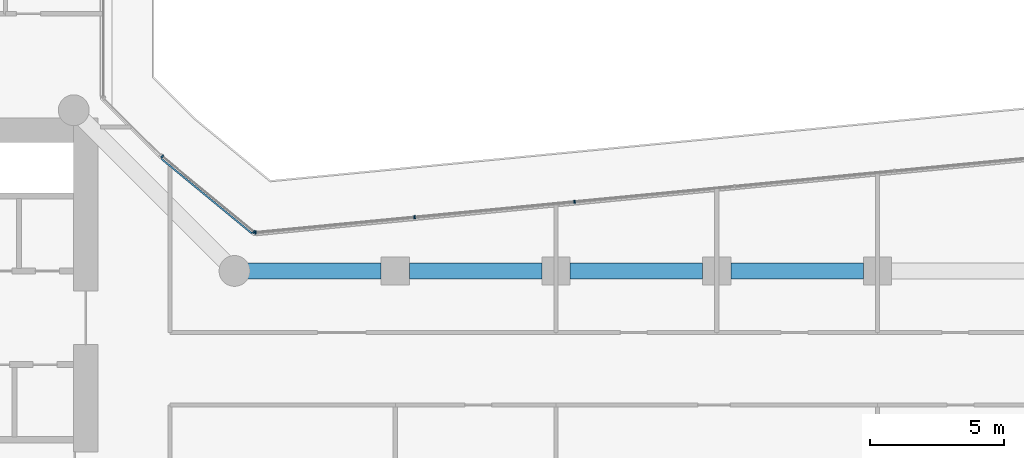
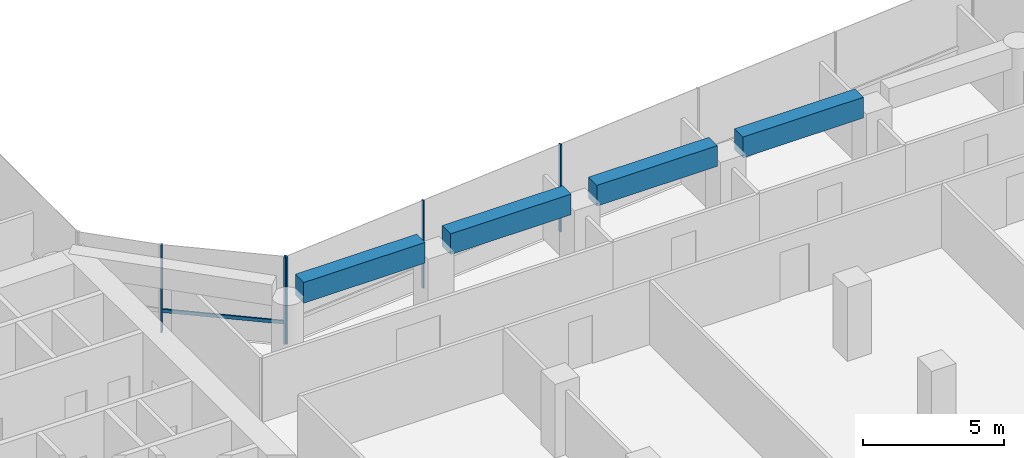
# One storey, part 9 of 30: 6 members, 4 beams, 2 elements without a shape of their own.
"""IFC4 building model written with IfcOpenShell, lengths in metres."""

from ifc_helpers import new_model, si_unit, direction, frame, origin, origin_2d, place, context, subcontext, project, spatial, rectangle, extrude, material, layer, layer_set, material_profile, profile_set, type_object, element, aggregate, save


model = new_model("IFC4")

# Units and contexts
model_context = context("Model", 3, precision=1e-05, world=origin(), true_north=direction((0.0, 1.0)))
body_context = subcontext(model_context, "Body", "Model", "MODEL_VIEW")
ifc_project = project(units=[si_unit("LENGTHUNIT", "METRE"), si_unit("AREAUNIT", "SQUARE_METRE"), si_unit("VOLUMEUNIT", "CUBIC_METRE"), si_unit("PLANEANGLEUNIT", "RADIAN"), si_unit("MASSUNIT", "GRAM", prefix="KILO")], contexts=[model_context])

# Site, building, storey
site_placement = place(None, origin())
site = spatial("IfcSite", under=ifc_project, at=site_placement, CompositionType="ELEMENT")
building_placement = place(site_placement, origin())
building = spatial("IfcBuilding", under=site, at=building_placement, Name="Welwitschia Terrace Campus", CompositionType="ELEMENT")
storey_placement = place(building_placement, frame((0.0, 0.0, 75.199951171875)))
storey = spatial("IfcBuildingStorey", under=building, at=storey_placement, Name="L17", CompositionType="ELEMENT", Elevation=75.199951171875)

# Curtain wall, members
ifc_material_1 = material(Name="Bronze anodised aluminium", Category="aluminium")
ifc_layer = layer(ifc_material_1, 0.1201171875)
ifc_layer_set = layer_set([ifc_layer], Name="Bronze anodised aluminium")
curtain_wall_type = type_object("IfcCurtainWallType", Name="Curtain wall CW2 tower 6000", PredefinedType="NOTDEFINED", material=ifc_layer_set)
curtain_wall_1_placement = place(storey_placement, origin())
curtain_wall_1 = element("IfcCurtainWall", 1, at=curtain_wall_1_placement, inside=storey, type_object=curtain_wall_type, Name="CW L17.9.0", PredefinedType="NOTDEFINED")
ifc_material_2 = material(Name="Bronze anodised aluminium", Category="aluminium")
ifc_material_profile_1 = material_profile(ifc_material_2, rectangle(XDim=0.1201171875, YDim=0.06005859375, at=origin_2d()))
ifc_profile_set_1 = profile_set([ifc_material_profile_1], Name="Bronze anodised aluminium")
member_type_1 = type_object("IfcMemberType", Name="Mullion 60x120", PredefinedType="MULLION", material=ifc_profile_set_1)
member_1_placement = place(storey_placement, frame((42.6953125, 22.584716796875, 0.0), z_axis=(0.0, 0.0, 1.0), x_axis=(0.09584575252, -0.995396198367, 0.0)))
member_1 = element("IfcMember", 2, at=member_1_placement, type_object=member_type_1, Name="Mullion L17.9.0.3", PredefinedType="MULLION", context=body_context, shape_type="SweptSolid", body=[
    extrude(rectangle(XDim=0.1201171875, YDim=0.06005859375, at=origin_2d()), origin(), (0.0, 0.0, 1.0), 3.800048828125),
])
member_2_placement = place(storey_placement, frame((36.72314453125, 22.009765625, 0.0), z_axis=(0.0, 0.0, 1.0), x_axis=(0.09584575252, -0.995396198367, 0.0)))
member_2 = element("IfcMember", 3, at=member_2_placement, type_object=member_type_1, Name="Mullion L17.9.0.4", PredefinedType="MULLION", context=body_context, shape_type="SweptSolid", body=[
    extrude(rectangle(XDim=0.1201171875, YDim=0.06005859375, at=origin_2d()), origin(), (0.0, 0.0, 1.0), 3.800048828125),
])
member_3_placement = place(storey_placement, frame((30.780517578125, 21.4375, 0.0), z_axis=(0.0, 0.0, 1.0), x_axis=(0.09584575252, -0.995396198367, 0.0)))
member_3 = element("IfcMember", 4, at=member_3_placement, type_object=member_type_1, Name="Mullion L17.9.0.5", PredefinedType="MULLION", context=body_context, shape_type="SweptSolid", body=[
    extrude(rectangle(XDim=0.1201171875, YDim=0.06005859375, at=origin_2d()), origin(), (0.0, 0.0, 1.0), 3.800048828125),
])
aggregate(curtain_wall_1, [member_1, member_2, member_3])

curtain_wall_2_placement = place(storey_placement, origin())
curtain_wall_2 = element("IfcCurtainWall", 5, at=curtain_wall_2_placement, inside=storey, type_object=curtain_wall_type, Name="CW L17.10.0", PredefinedType="NOTDEFINED")
member_4_placement = place(storey_placement, frame((30.7275390625, 21.45361328125, 0.0), z_axis=(0.0, 0.0, 1.0), x_axis=(-0.636078220278, -0.771624583388, 0.0)))
member_4 = element("IfcMember", 6, at=member_4_placement, type_object=member_type_1, Name="Mullion L17.10.0.0", PredefinedType="MULLION", context=body_context, shape_type="SweptSolid", body=[
    extrude(rectangle(XDim=0.1201171875, YDim=0.06005859375, at=origin_2d()), origin(), (0.0, 0.0, 1.0), 3.800048828125),
])
member_5_placement = place(storey_placement, frame((27.302001953125, 24.27734375, 0.0), z_axis=(0.0, 0.0, 1.0), x_axis=(-0.636078220278, -0.771624583388, 0.0)))
member_5 = element("IfcMember", 7, at=member_5_placement, type_object=member_type_1, Name="Mullion L17.10.0.1", PredefinedType="MULLION", context=body_context, shape_type="SweptSolid", body=[
    extrude(rectangle(XDim=0.1201171875, YDim=0.06005859375, at=origin_2d()), origin(), (0.0, 0.0, 1.0), 3.800048828125),
])

# Beams
ifc_material_3 = material(Name="Concrete C60/75", Category="concrete")
ifc_material_profile_2 = material_profile(ifc_material_3, rectangle(XDim=0.60009765625, YDim=0.89990234375, at=origin_2d()))
ifc_profile_set_2 = profile_set([ifc_material_profile_2], Name="Concrete C60/75")
beam_type = type_object("IfcBeamType", Name="Ring spandrel 600x900", PredefinedType="SPANDREL", material=ifc_profile_set_2)
for number, where, z_axis, x_axis, name in (
    (8, (53.474609375, 20.0, 3.35009765625), (-1.0, 0.0, 0.0), (0.0, -1.0, 0.0), "Spandrel SP2"),
    (9, (47.474609375, 20.0, 3.35009765625), (-1.0, 0.0, 0.0), (0.0, -1.0, 0.0), "Spandrel SP2"),
    (10, (41.474609375, 20.0, 3.35009765625), (-1.0, 0.0, 0.0), (0.0, -1.0, 0.0), "Spandrel SP2"),
):
    element("IfcBeam", number, at=place(storey_placement, frame(where, z_axis=z_axis, x_axis=x_axis)), inside=storey, type_object=beam_type, Name=name, PredefinedType="SPANDREL", context=body_context, shape_type="SweptSolid", body=[
        extrude(rectangle(XDim=0.60009765625, YDim=0.89990234375, at=origin_2d()), origin(), (0.0, 0.0, 1.0), 4.94921875),
    ])
beam_placement = place(storey_placement, frame((35.474609375, 20.0, 3.35009765625), z_axis=(-1.0, 0.0, 0.0), x_axis=(0.0, -1.0, 0.0)))
element("IfcBeam", 11, at=beam_placement, inside=storey, type_object=beam_type, Name="Spandrel SP2", PredefinedType="SPANDREL", context=body_context, shape_type="SweptSolid", body=[
    extrude(rectangle(XDim=0.60009765625, YDim=0.89990234375, at=origin_2d()), origin(), (0.0, 0.0, 1.0), 4.983154296875),
])

# Member
ifc_material_4 = material(Name="Bronze anodised aluminium", Category="aluminium")
ifc_material_profile_3 = material_profile(ifc_material_4, rectangle(XDim=0.06005859375, YDim=0.14990234375, at=origin_2d()))
ifc_profile_set_3 = profile_set([ifc_material_profile_3], Name="Bronze anodised aluminium")
member_type_2 = type_object("IfcMemberType", Name="Transom 60x150", PredefinedType="USERDEFINED", material=ifc_profile_set_3)
member_6_placement = place(storey_placement, frame((30.647216796875, 21.4033203125, 1.0), z_axis=(-0.771637285616, 0.636062810929, 0.0), x_axis=(-0.636062810929, -0.771637285616, 0.0)))
member_6 = element("IfcMember", 12, at=member_6_placement, type_object=member_type_2, Name="Transom L17.10.0", ObjectType="TRANSOM", PredefinedType="USERDEFINED", context=body_context, shape_type="SweptSolid", body=[
    extrude(rectangle(XDim=0.06005859375, YDim=0.14990234375, at=origin_2d()), origin(), (0.0, 0.0, 1.0), 4.37939453125),
])

aggregate(curtain_wall_2, [member_4, member_5, member_6])

save(model, "model.ifc")
